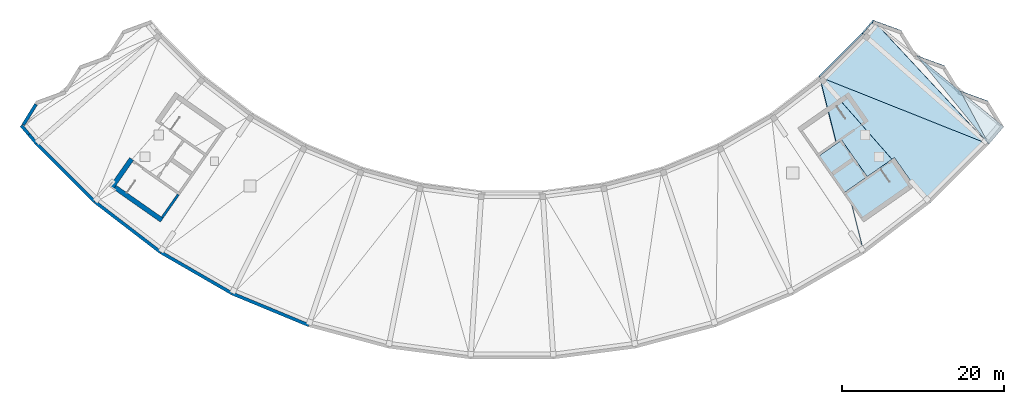
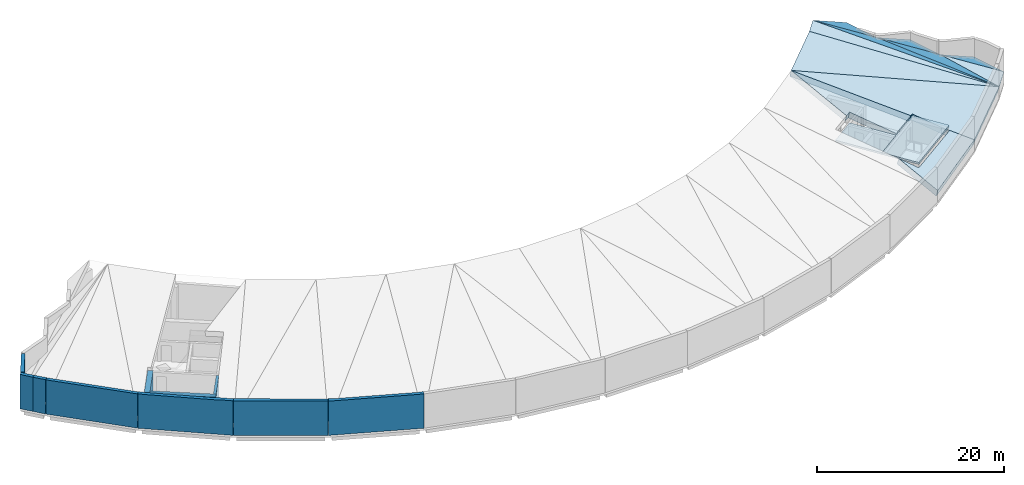
# One storey, part 3 of 6: 13 slabs, 10 walls.
"""IFC4 building model written with IfcOpenShell, lengths in metres."""

from ifc_helpers import new_model, si_unit, direction, frame, frame_2d, origin, place, context, subcontext, project, spatial, polyline, rectangle, outline, extrude, material, layer, layer_set, type_object, element, save


model = new_model("IFC4")

# Units and contexts
model_context = context("Model", 3, precision=1e-05, world=origin(), true_north=direction((0.0, 1.0)))
body_context = subcontext(model_context, "Body", "Model", "MODEL_VIEW")
ifc_project = project(units=[si_unit("LENGTHUNIT", "METRE"), si_unit("AREAUNIT", "SQUARE_METRE"), si_unit("VOLUMEUNIT", "CUBIC_METRE"), si_unit("PLANEANGLEUNIT", "RADIAN"), si_unit("MASSUNIT", "GRAM", prefix="KILO")], contexts=[model_context])

# Site, building, storey
site_placement = place(None, origin())
site = spatial("IfcSite", under=ifc_project, at=site_placement, CompositionType="ELEMENT")
building_placement = place(site_placement, origin())
building = spatial("IfcBuilding", under=site, at=building_placement, Name="Qamariyya Broadcast Tower", CompositionType="ELEMENT")
storey_placement = place(building_placement, frame((0.0, 0.0, 318.699951171875)))
storey = spatial("IfcBuildingStorey", under=building, at=storey_placement, Name="Roof", CompositionType="ELEMENT", Elevation=318.699951171875)

# Slabs
ifc_material_1 = material(Name="Concrete C40/50", Category="concrete")
ifc_layer_1 = layer(ifc_material_1, 0.25)
ifc_layer_set_1 = layer_set([ifc_layer_1], Name="Head-house cap slab 250 mm Concrete C40/50")
slab_type_1 = type_object("IfcSlabType", Name="Head-house cap slab 250 mm Concrete C40/50", PredefinedType="FLOOR", material=ifc_layer_set_1)
slab_1_placement = place(storey_placement, frame((0.0, 0.0, 2.60009765625)))
element("IfcSlab", 1, at=slab_1_placement, inside=storey, type_object=slab_type_1, Name="k-E-Roof-HCOV", PredefinedType="FLOOR", context=body_context, shape_type="SweptSolid", body=[
    extrude(outline(polyline([(40.9306640625, -57.7099609375), (43.879638671875, -55.64501953125), (40.724853515625, -51.1396484375), (37.77587890625, -53.20458984375), (40.9306640625, -57.7099609375)])), origin(), (0.0, 0.0, 1.0), 0.25),
])
slab_2_placement = place(storey_placement, frame((0.0, 0.0, 2.60009765625)))
element("IfcSlab", 2, at=slab_2_placement, inside=storey, type_object=slab_type_1, Name="k-E-Roof-HCSH", PredefinedType="FLOOR", context=body_context, shape_type="SweptSolid", body=[
    extrude(outline(polyline([(43.425537109375, -61.273193359375), (49.729248046875, -56.859375), (47.234130859375, -53.296142578125), (40.9306640625, -57.7099609375), (43.425537109375, -61.273193359375)])), origin(), (0.0, 0.0, 1.0), 0.25),
])
ifc_material_2 = material(Name="Concrete C50/60", Category="concrete")
ifc_layer_2 = layer(ifc_material_2, 0.800048828125)
ifc_layer_set_2 = layer_set([ifc_layer_2], Name="Roof slab 800 C50/60")
slab_type_2 = type_object("IfcSlabType", Name="Roof slab 800 C50/60", PredefinedType="ROOF", material=ifc_layer_set_2)
slab_3_placement = place(storey_placement, frame((46.927490234375, -53.510498046875, 3.025634765625), z_axis=(0.126837799512, -0.165282092083, 0.978056236957), x_axis=(-0.644929077546, 0.735416765493, 0.207915045073)))
element("IfcSlab", 3, at=slab_3_placement, inside=storey, type_object=slab_type_2, Name="Sloped roof slab S1 facet 31", PredefinedType="ROOF", context=body_context, shape_type="SweptSolid", body=[
    extrude(outline(polyline([(0.0, 0.0), (13.824777714796967, 8.326672684688674e-17), (6.077549807479312, 3.8638343980627363), (5.994399292970204, 3.1001854245981675), (0.4031998959513492, 3.699416738469232), (0.0, 0.0)])), origin(), (0.0, 0.0, -1.0), 0.800048828125),
])
slab_4_placement = place(storey_placement, frame((43.529052734375, -65.1455078125, 1.5), z_axis=(0.12683241555, -0.165293014409, 0.978055089324), x_axis=(0.793354117086, 0.608760416668, 8.43784e-07)))
element("IfcSlab", 4, at=slab_4_placement, inside=storey, type_object=slab_type_2, Name="Sloped roof slab S1 facet 32", PredefinedType="ROOF", context=body_context, shape_type="SweptSolid", body=[
    extrude(outline(polyline([(0.0, 0.0), (10.248715323092469, -8.881784197001252e-16), (10.004081609639877, 3.814635987044438), (9.96326571129224, 2.8618492357321488), (2.2753363994476556, 3.2056905748158786), (2.379468321197195, 5.650509342560627), (0.0, 0.0)])), origin(), (0.0, 0.0, -1.0), 0.800048828125),
])
slab_5_placement = place(storey_placement, frame((58.906494140625, -51.659423828125, 1.5), z_axis=(0.147323932297, -0.147311556194, 0.978056728613), x_axis=(-0.911833057929, 0.362896422991, 0.192006928644)))
element("IfcSlab", 5, at=slab_5_placement, inside=storey, type_object=slab_type_2, Name="Sloped roof slab S1 facet 34", PredefinedType="ROOF", context=body_context, shape_type="SweptSolid", body=[
    extrude(outline(polyline([(0.0, 0.0), (22.91539817477893, -1.4432899320127035e-15), (10.544035995689779, 6.170403285576274), (10.339859011601632, 5.856656244849839), (7.398406638530996, 7.739171439579586), (3.9777371595205193, 9.445135591372345), (0.0, 0.0)])), origin(), (0.0, 0.0, -1.0), 0.800048828125),
])
slab_6_placement = place(storey_placement, frame((58.90673828125, -51.65966796875, 1.5), z_axis=(0.147316328728, -0.147316328728, 0.978057155068), x_axis=(-0.735414125188, 0.644933742051, 0.207909915198)))
element("IfcSlab", 6, at=slab_6_placement, inside=storey, type_object=slab_type_2, Name="Sloped roof slab S1 facet 35", PredefinedType="ROOF", context=body_context, shape_type="SweptSolid", body=[
    extrude(outline(polyline([(0.0, 0.0), (21.16254214982794, 1.0130785099704553e-15), (21.645008470165113, 7.525526422295673), (0.0, 0.0)])), origin(), (0.0, 0.0, -1.0), 0.800048828125),
])
slab_7_placement = place(storey_placement, frame((58.90673828125, -51.65966796875, 1.5), z_axis=(0.158833653288, -0.134252466618, 0.978135034538), x_axis=(0.645535170097, 0.763730544216, 0.0)))
element("IfcSlab", 7, at=slab_7_placement, inside=storey, type_object=slab_type_2, Name="Sloped roof slab S1 facet 36", PredefinedType="ROOF", context=body_context, shape_type="SweptSolid", body=[
    extrude(outline(polyline([(0.0, 0.0), (2.850484335886592, 0.0), (2.725205975667734, 7.052898125862274), (0.0, 0.0)])), origin(), (0.0, 0.0, -1.0), 0.800048828125),
])
slab_8_placement = place(storey_placement, frame((58.90673828125, -51.65966796875, 1.5), z_axis=(0.158731942411, -0.134309054024, 0.978143776991), x_axis=(-0.464155344062, 0.864249178376, 0.193992717017)))
element("IfcSlab", 8, at=slab_8_placement, inside=storey, type_object=slab_type_2, Name="Sloped roof slab S1 facet 37", PredefinedType="ROOF", context=body_context, shape_type="SweptSolid", body=[
    extrude(outline(polyline([(0.0, 0.0), (7.561092486116456, 0.0), (14.09507640690582, 2.6589743537990183), (0.0, 0.0)])), origin(), (0.0, 0.0, -1.0), 0.800048828125),
])
slab_9_placement = place(storey_placement, frame((58.90673828125, -51.65966796875, 1.5), z_axis=(0.158749960142, -0.134294162643, 0.978142897554), x_axis=(-0.617649821508, 0.759398821549, 0.204504591199)))
element("IfcSlab", 9, at=slab_9_placement, inside=storey, type_object=slab_type_2, Name="Sloped roof slab S1 facet 38", PredefinedType="ROOF", context=body_context, shape_type="SweptSolid", body=[
    extrude(outline(polyline([(0.0, 0.0), (14.343685841884366, 5.967448757360216e-16), (21.257145115287017, 1.4018001070352097), (0.0, 0.0)])), origin(), (0.0, 0.0, -1.0), 0.800048828125),
])
slab_10_placement = place(storey_placement, frame((58.90673828125, -51.65966796875, 1.5), z_axis=(0.158807691964, -0.134239820094, 0.978140985581), x_axis=(-0.66699609965, 0.715862465673, 0.206536033881)))
element("IfcSlab", 10, at=slab_10_placement, inside=storey, type_object=slab_type_2, Name="Sloped roof slab S1 facet 39", PredefinedType="ROOF", context=body_context, shape_type="SweptSolid", body=[
    extrude(outline(polyline([(0.0, 0.0), (21.303315751132608, 6.661338147750939e-16), (21.059757824222817, 2.0832164141850518), (0.0, 0.0)])), origin(), (0.0, 0.0, -1.0), 0.800048828125),
])
slab_11_placement = place(storey_placement, frame((48.12109375, -37.650634765625, 5.166748046875), z_axis=(0.162408412337, -0.129804575089, 0.978148393593), x_axis=(-0.921629648412, 0.334134288849, 0.197365316564)))
element("IfcSlab", 11, at=slab_11_placement, inside=storey, type_object=slab_type_2, Name="Sloped roof slab S1 facet 40", PredefinedType="ROOF", context=body_context, shape_type="SweptSolid", body=[
    extrude(outline(polyline([(0.0, 0.0), (3.714706867636382, -2.7755575615628914e-17), (-2.96136902687756, 2.2783707590668585), (0.0, 0.0)])), origin(), (0.0, 0.0, -1.0), 0.800048828125),
])
slab_12_placement = place(storey_placement, frame((53.471923828125, -42.009033203125, 3.699951171875), z_axis=(0.162405495177, -0.129801198092, 0.97814932608), x_axis=(-0.921596573491, 0.334224122717, 0.197367655719)))
element("IfcSlab", 12, at=slab_12_placement, inside=storey, type_object=slab_type_2, Name="Sloped roof slab S1 facet 41", PredefinedType="ROOF", context=body_context, shape_type="SweptSolid", body=[
    extrude(outline(polyline([(0.0, 0.0), (3.7158998257805473, 2.7755575615628914e-17), (-2.9604756169207906, 2.2779599292764954), (0.0, 0.0)])), origin(), (0.0, 0.0, -1.0), 0.800048828125),
])
slab_13_placement = place(storey_placement, frame((58.822509765625, -46.367431640625, 2.2333984375), z_axis=(0.162261560651, -0.130046157591, 0.978140676401), x_axis=(-0.92158579448, 0.334280121747, 0.197323145162)))
element("IfcSlab", 13, at=slab_13_placement, inside=storey, type_object=slab_type_2, Name="Sloped roof slab S1 facet 42", PredefinedType="ROOF", context=body_context, shape_type="SweptSolid", body=[
    extrude(outline(polyline([(0.0, 0.0), (3.7167380283686606, -9.71445146547012e-17), (-2.9595000765755963, 2.2774791782628965), (0.0, 0.0)])), origin(), (0.0, 0.0, -1.0), 0.800048828125),
])

# Walls
ifc_material_3 = material(Name="Concrete C60/75", Category="concrete")
ifc_layer_3 = layer(ifc_material_3, 0.300048828125)
ifc_layer_set_3 = layer_set([ifc_layer_3], Name="Head-house enclosure wall 300 mm Concrete C60/75")
wall_type_1 = type_object("IfcWallType", Name="Head-house enclosure wall 300 mm Concrete C60/75", PredefinedType="SOLIDWALL", material=ifc_layer_set_3)
wall_1_placement = place(storey_placement, frame((-41.2255859375, -57.86962890625, 0.0), z_axis=(0.0, 0.0, 1.0), x_axis=(-0.573547828788, -0.819172074776, 0.0)))
element("IfcWall", 14, at=wall_1_placement, inside=storey, type_object=wall_type_1, Name="k-W-Roof-SHW", PredefinedType="SOLIDWALL", context=body_context, shape_type="SweptSolid", body=[
    extrude(rectangle(XDim=3.449951171875, YDim=0.300048828125, at=frame_2d((1.72509765625, 0.0))), origin(), (0.0, 0.0, 1.0), 2.60009765625),
])
ifc_layer_4 = layer(ifc_material_3, 0.60009765625)
ifc_layer_set_4 = layer_set([ifc_layer_4], Name="Head-house wall 600 mm Concrete C60/75")
wall_type_2 = type_object("IfcWallType", Name="Head-house wall 600 mm Concrete C60/75", PredefinedType="SOLIDWALL", material=ifc_layer_set_4)
wall_2_placement = place(storey_placement, frame((-43.253662109375, -61.027587890625, 0.0), z_axis=(0.0, 0.0, 1.0), x_axis=(-0.819138151105, 0.573596277363, 0.0)))
element("IfcWall", 15, at=wall_2_placement, inside=storey, type_object=wall_type_2, Name="k-W-Roof-SHO", PredefinedType="SOLIDWALL", context=body_context, shape_type="SweptSolid", body=[
    extrude(rectangle(XDim=7.09521484375, YDim=0.60009765625, at=frame_2d((3.547607421875, 0.0))), origin(), (0.0, 0.0, 1.0), 2.60009765625),
])
wall_3_placement = place(storey_placement, frame((-46.988525390625, -53.468017578125, 0.0), z_axis=(0.0, 0.0, 1.0), x_axis=(-0.573530143085, -0.819184457233, 0.0)))
element("IfcWall", 16, at=wall_3_placement, inside=storey, type_object=wall_type_2, Name="k-W-Roof-SHE", PredefinedType="SOLIDWALL", context=body_context, shape_type="SweptSolid", body=[
    extrude(rectangle(XDim=4.35009765625, YDim=0.60009765625, at=frame_2d((2.175048828125, 0.0))), origin(), (0.0, 0.0, 1.0), 2.60009765625),
])
ifc_material_4 = material(Name="Terracotta", Category="masonry")
ifc_layer_5 = layer(ifc_material_4, 0.39990234375)
ifc_layer_set_5 = layer_set([ifc_layer_5], Name="Parapet wall, terracotta clad 400")
wall_type_3 = type_object("IfcWallType", Name="Parapet wall, terracotta clad 400", PredefinedType="PARAPET", material=ifc_layer_set_5)
wall_4_placement = place(storey_placement, frame((-58.805419921875, -46.720458984375, 0.0), z_axis=(0.0, 0.0, 1.0), x_axis=(-0.525538284274, -0.850769952315, 0.0)))
element("IfcWall", 17, at=wall_4_placement, inside=storey, type_object=wall_type_3, Name="e-wl-Roof-capW5", PredefinedType="PARAPET", context=body_context, shape_type="SweptSolid", body=[
    extrude(outline(polyline([(0.0, 0.0), (2.976318359375, 0.0), (2.9765625, 4.56494140625), (2.48046875, 4.66455078125), (1.984375, 4.763916015625), (1.48828125, 4.86328125), (0.9921875, 4.89013671875), (0.49609375, 4.89013671875), (0.0, 4.89013671875), (0.0, 0.0)])), frame((0.0, 0.199951171875, 0.0), z_axis=(0.0, -1.0, 0.0), x_axis=(1.0, 0.0, 0.0)), (0.0, 0.0, 1.0), 0.39990234375),
])
wall_5_placement = place(storey_placement, frame((-60.623046875, -49.3193359375, 0.0), z_axis=(0.0, 0.0, 1.0), x_axis=(0.645510358639, -0.763751515148, 0.0)))
element("IfcWall", 18, at=wall_5_placement, inside=storey, type_object=wall_type_3, Name="e-wl-Roof-out00", PredefinedType="PARAPET", context=body_context, shape_type="SweptSolid", body=[
    extrude(outline(polyline([(0.0, 0.0), (1.47021484375, 0.0), (1.47021484375, 4.47216796875), (0.980224609375, 4.47216796875), (0.489990234375, 4.47216796875), (0.0, 4.514404296875), (0.0, 0.0)])), frame((0.0, 0.199951171875, 0.0), z_axis=(0.0, -1.0, 0.0), x_axis=(1.0, 0.0, 0.0)), (0.0, 0.0, 1.0), 0.39990234375),
])
wall_6_placement = place(storey_placement, frame((-59.674072265625, -50.442138671875, 0.0), z_axis=(0.0, 0.0, 1.0), x_axis=(0.645651771062, -0.763631973221, 0.0)))
element("IfcWall", 19, at=wall_6_placement, inside=storey, type_object=wall_type_3, Name="e-wl-Roof-out01", PredefinedType="PARAPET", context=body_context, shape_type="SweptSolid", body=[
    extrude(outline(polyline([(0.0, 0.0), (1.431884765625, 0.0), (1.431884765625, 4.514404296875), (0.95458984375, 4.47216796875), (0.477294921875, 4.47216796875), (0.0, 4.47216796875), (0.0, 0.0)])), frame((0.0, 0.199951171875, 0.0), z_axis=(0.0, -1.0, 0.0), x_axis=(1.0, 0.0, 0.0)), (0.0, 0.0, 1.0), 0.39990234375),
])
wall_7_placement = place(storey_placement, frame((-58.737060546875, -51.546630859375, 0.0), z_axis=(0.0, 0.0, 1.0), x_axis=(0.707118813872, -0.707094748296, 0.0)))
element("IfcWall", 20, at=wall_7_placement, inside=storey, type_object=wall_type_3, Name="e-wl-Roof-out10", PredefinedType="PARAPET", context=body_context, shape_type="SweptSolid", body=[
    extrude(outline(polyline([(0.0, 0.0), (10.144775390625, 0.0), (10.14501953125, 4.47216796875), (9.661865234375, 4.47216796875), (9.1787109375, 4.47216796875), (8.695556640625, 4.47216796875), (8.212646484375, 4.47216796875), (7.7294921875, 4.47216796875), (7.246337890625, 4.47216796875), (6.76318359375, 4.47216796875), (6.2802734375, 4.47216796875), (5.797119140625, 4.47216796875), (5.31396484375, 4.47216796875), (4.830810546875, 4.47216796875), (4.347900390625, 4.47216796875), (3.86474609375, 4.47216796875), (3.381591796875, 4.47216796875), (2.8984375, 4.47216796875), (2.41552734375, 4.47216796875), (1.932373046875, 4.47216796875), (1.44921875, 4.47216796875), (0.966064453125, 4.47216796875), (0.483154296875, 4.47216796875), (0.0, 4.47216796875), (0.0, 0.0)])), frame((0.0, 0.199951171875, 0.0), z_axis=(0.0, -1.0, 0.0), x_axis=(1.0, 0.0, 0.0)), (0.0, 0.0, 1.0), 0.39990234375),
])
wall_8_placement = place(storey_placement, frame((-51.54736328125, -58.74072265625, 0.0), z_axis=(0.0, 0.0, 1.0), x_axis=(0.793354972355, -0.608759302055, 0.0)))
element("IfcWall", 21, at=wall_8_placement, inside=storey, type_object=wall_type_3, Name="e-wl-Roof-out20", PredefinedType="PARAPET", context=body_context, shape_type="SweptSolid", body=[
    extrude(outline(polyline([(0.0, 0.0), (10.2724609375, 0.0), (10.2724609375, 4.513916015625), (9.783203125, 4.5146484375), (9.294189453125, 4.5146484375), (8.804931640625, 4.5146484375), (8.315673828125, 4.47216796875), (7.82666015625, 4.47216796875), (7.33740234375, 4.47216796875), (6.848388671875, 4.47216796875), (6.359130859375, 4.47216796875), (5.869873046875, 4.47216796875), (5.380859375, 4.47216796875), (4.8916015625, 4.47216796875), (4.402587890625, 4.47216796875), (3.913330078125, 4.47216796875), (3.424072265625, 4.47216796875), (2.93505859375, 4.47216796875), (2.44580078125, 4.47216796875), (1.95654296875, 4.47216796875), (1.467529296875, 4.47216796875), (0.978271484375, 4.47216796875), (0.4892578125, 4.47216796875), (0.0, 4.513916015625), (0.0, 0.0)])), frame((0.0, 0.199951171875, 0.0), z_axis=(0.0, -1.0, 0.0), x_axis=(1.0, 0.0, 0.0)), (0.0, 0.0, 1.0), 0.39990234375),
])
wall_9_placement = place(storey_placement, frame((-43.37353515625, -65.00439453125, 0.0), z_axis=(0.0, 0.0, 1.0), x_axis=(0.866019679839, -0.500009914033, 0.0)))
element("IfcWall", 22, at=wall_9_placement, inside=storey, type_object=wall_type_3, Name="e-wl-Roof-out30", PredefinedType="PARAPET", context=body_context, shape_type="SweptSolid", body=[
    extrude(outline(polyline([(0.0, 0.0), (10.120849609375, 0.0), (10.12109375, 4.47216796875), (9.63916015625, 4.47216796875), (9.156982421875, 4.47216796875), (8.675048828125, 4.47216796875), (8.193115234375, 4.47216796875), (7.711181640625, 4.47216796875), (7.229248046875, 4.47216796875), (6.747314453125, 4.47216796875), (6.265380859375, 4.47216796875), (5.783447265625, 4.47216796875), (5.301513671875, 4.47216796875), (4.819580078125, 4.47216796875), (4.337646484375, 4.47216796875), (3.855712890625, 4.5146484375), (3.373779296875, 4.5146484375), (2.8916015625, 4.5146484375), (2.40966796875, 4.5146484375), (1.927734375, 4.5146484375), (1.44580078125, 4.5146484375), (0.9638671875, 4.5146484375), (0.48193359375, 4.5146484375), (0.0, 4.5146484375), (0.0, 0.0)])), frame((0.0, 0.199951171875, 0.0), z_axis=(0.0, -1.0, 0.0), x_axis=(1.0, 0.0, 0.0)), (0.0, 0.0, 1.0), 0.39990234375),
])
wall_10_placement = place(storey_placement, frame((-34.587646484375, -70.08056640625, 0.0), z_axis=(0.0, 0.0, 1.0), x_axis=(0.923877211741, -0.382689035152, 0.0)))
element("IfcWall", 23, at=wall_10_placement, inside=storey, type_object=wall_type_3, Name="e-wl-Roof-out40", PredefinedType="PARAPET", context=body_context, shape_type="SweptSolid", body=[
    extrude(outline(polyline([(0.0, 0.0), (10.2724609375, 0.0), (10.2724609375, 4.513916015625), (9.783203125, 4.47216796875), (9.294189453125, 4.47216796875), (8.804931640625, 4.47216796875), (8.315673828125, 4.47216796875), (7.82666015625, 4.47216796875), (7.33740234375, 4.47216796875), (6.848388671875, 4.47216796875), (6.359130859375, 4.47216796875), (5.869873046875, 4.47216796875), (5.380859375, 4.47216796875), (4.8916015625, 4.47216796875), (4.402587890625, 4.47216796875), (3.913330078125, 4.47216796875), (3.424072265625, 4.47216796875), (2.93505859375, 4.47216796875), (2.44580078125, 4.47216796875), (1.95654296875, 4.47216796875), (1.467529296875, 4.47216796875), (0.978271484375, 4.47216796875), (0.4892578125, 4.47216796875), (0.0, 4.513916015625), (0.0, 0.0)])), frame((0.0, 0.199951171875, 0.0), z_axis=(0.0, -1.0, 0.0), x_axis=(1.0, 0.0, 0.0)), (0.0, 0.0, 1.0), 0.39990234375),
])

save(model, "model.ifc")
